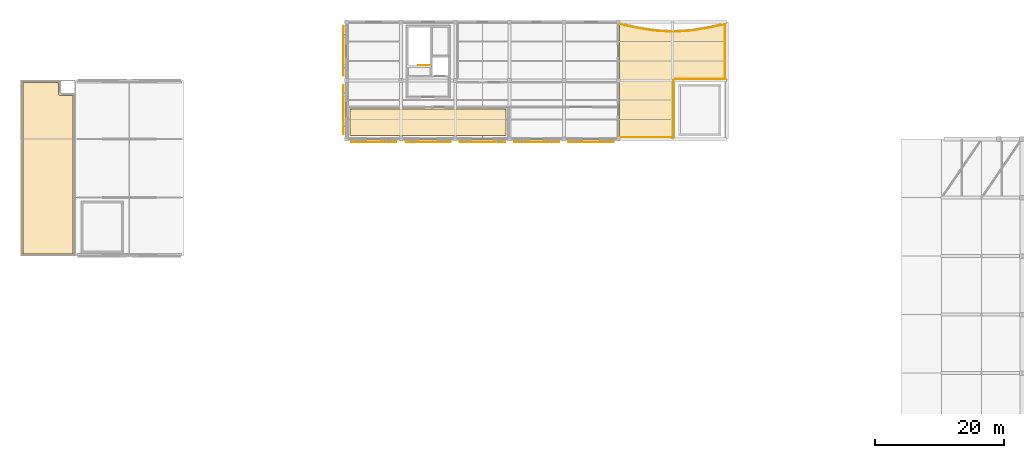
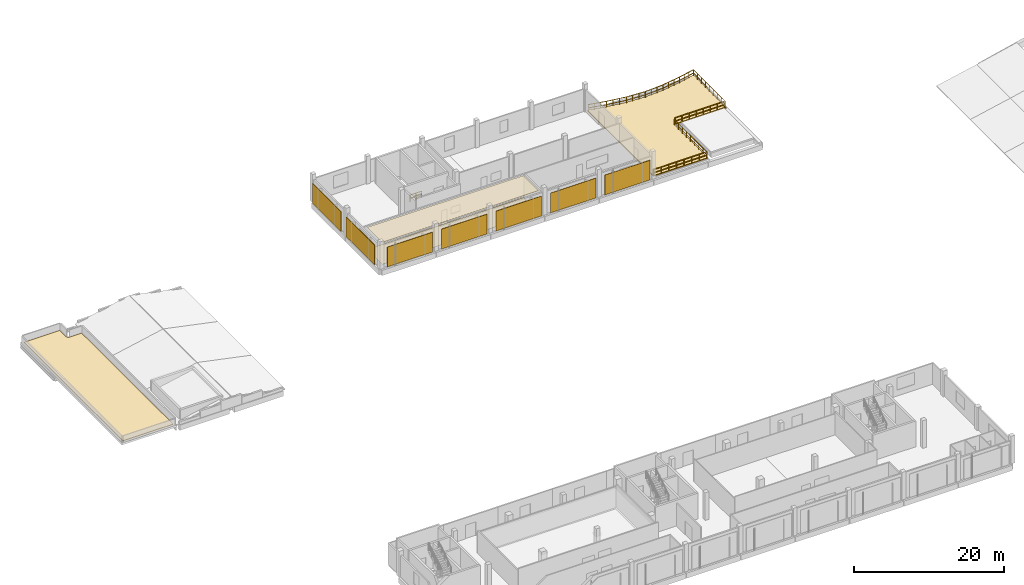
# One storey, part 28 of 28: 11 railings, 7 shading devices, 4 coverings.
"""IFC4 building model written with IfcOpenShell, lengths in metres."""

from ifc_helpers import new_model, si_unit, direction, frame, origin, origin_2d, place, context, subcontext, project, spatial, polyline, rectangle, circle, outline, extrude, material, layer, layer_set, type_object, element, save


model = new_model("IFC4")

# Units and contexts
model_context = context("Model", 3, precision=1e-05, world=origin(), true_north=direction((0.0, 1.0)))
body_context = subcontext(model_context, "Body", "Model", "MODEL_VIEW")
ifc_project = project(units=[si_unit("LENGTHUNIT", "METRE"), si_unit("AREAUNIT", "SQUARE_METRE"), si_unit("VOLUMEUNIT", "CUBIC_METRE"), si_unit("PLANEANGLEUNIT", "RADIAN"), si_unit("MASSUNIT", "GRAM", prefix="KILO")], contexts=[model_context])

# Site, building, storey
site_placement = place(None, origin())
site = spatial("IfcSite", under=ifc_project, at=site_placement, CompositionType="ELEMENT")
building_placement = place(site_placement, origin())
building = spatial("IfcBuilding", under=site, at=building_placement, Name="Khurvash Pelagic Aquarium", CompositionType="ELEMENT")
storey_placement = place(building_placement, frame((0.0, 0.0, 20.10009765625)))
storey = spatial("IfcBuildingStorey", under=building, at=storey_placement, Name="L04", CompositionType="ELEMENT", Elevation=20.10009765625)

# Railings
ifc_material_1 = material(Name="Laminated glass and stainless steel 316", Category="steel")
railing_type_1 = type_object("IfcRailingType", Name="BL-01", PredefinedType="BALUSTRADE", material=ifc_material_1)
railing_1_placement = place(storey_placement, frame((101.080078125, 101.801025390625, 0.0)))
element("IfcRailing", 1, at=railing_1_placement, inside=storey, type_object=railing_type_1, Name="L04 Planted Terrace Perimeter Balustrade BL-01 0068", PredefinedType="BALUSTRADE", context=body_context, shape_type="SweptSolid", body=[
    extrude(circle(Radius=0.02392578125, at=origin_2d()), frame((0.0, 0.0, 1.076171875), z_axis=(0.975965395468, -0.217925553456, 0.0), x_axis=(0.217925553456, 0.975965395468, 0.0)), (0.0, 0.0, 1.0), 2.51953125),
    extrude(circle(Radius=0.02392578125, at=origin_2d()), frame((0.0, 0.0, 0.5380859375), z_axis=(0.975965395468, -0.217925553456, 0.0), x_axis=(0.217925553456, 0.975965395468, 0.0)), (0.0, 0.0, 1.0), 2.51953125),
    extrude(circle(Radius=0.02099609375, at=origin_2d()), origin(), (0.0, 0.0, 1.0), 1.052001953125),
    extrude(circle(Radius=0.02099609375, at=origin_2d()), frame((0.819580078125, -0.18310546875, 0.0)), (0.0, 0.0, 1.0), 1.052001953125),
    extrude(circle(Radius=0.02099609375, at=origin_2d()), frame((1.639404296875, -0.365966796875, 0.0)), (0.0, 0.0, 1.0), 1.052001953125),
    extrude(circle(Radius=0.02099609375, at=origin_2d()), frame((2.458984375, -0.549072265625, 0.0)), (0.0, 0.0, 1.0), 1.052001953125),
])
railing_2_placement = place(storey_placement, frame((103.554931640625, 101.2490234375, 0.0)))
element("IfcRailing", 2, at=railing_2_placement, inside=storey, type_object=railing_type_1, Name="L04 Planted Terrace Perimeter Balustrade BL-01 0069", PredefinedType="BALUSTRADE", context=body_context, shape_type="SweptSolid", body=[
    extrude(circle(Radius=0.02392578125, at=origin_2d()), frame((0.0, 0.0, 1.076171875), z_axis=(0.986884803625, -0.161426095702, 0.0), x_axis=(0.161426095702, 0.986884803625, 0.0)), (0.0, 0.0, 1.0), 2.837158203125),
    extrude(circle(Radius=0.02392578125, at=origin_2d()), frame((0.0, 0.0, 0.5380859375), z_axis=(0.986884803625, -0.161426095702, 0.0), x_axis=(0.161426095702, 0.986884803625, 0.0)), (0.0, 0.0, 1.0), 2.837158203125),
    extrude(circle(Radius=0.02099609375, at=origin_2d()), origin(), (0.0, 0.0, 1.0), 1.052001953125),
    extrude(circle(Radius=0.02099609375, at=origin_2d()), frame((0.933349609375, -0.152587890625, 0.0)), (0.0, 0.0, 1.0), 1.052001953125),
    extrude(circle(Radius=0.02099609375, at=origin_2d()), frame((1.86669921875, -0.305419921875, 0.0)), (0.0, 0.0, 1.0), 1.052001953125),
    extrude(circle(Radius=0.02099609375, at=origin_2d()), frame((2.800048828125, -0.4580078125, 0.0)), (0.0, 0.0, 1.0), 1.052001953125),
])
railing_3_placement = place(storey_placement, frame((106.383056640625, 100.787109375, 0.0)))
element("IfcRailing", 3, at=railing_3_placement, inside=storey, type_object=railing_type_1, Name="L04 Planted Terrace Perimeter Balustrade BL-01 0070", PredefinedType="BALUSTRADE", context=body_context, shape_type="SweptSolid", body=[
    extrude(circle(Radius=0.02392578125, at=origin_2d()), frame((0.0, 0.0, 1.076171875), z_axis=(0.998226323311, -0.05953324659, 0.0), x_axis=(0.05953324659, 0.998226323311, 0.0)), (0.0, 0.0, 1.0), 2.804931640625),
    extrude(circle(Radius=0.02392578125, at=origin_2d()), frame((0.0, 0.0, 0.5380859375), z_axis=(0.998226323311, -0.05953324659, 0.0), x_axis=(0.05953324659, 0.998226323311, 0.0)), (0.0, 0.0, 1.0), 2.804931640625),
    extrude(circle(Radius=0.02099609375, at=origin_2d()), origin(), (0.0, 0.0, 1.0), 1.052001953125),
    extrude(circle(Radius=0.02099609375, at=origin_2d()), frame((0.933349609375, -0.0556640625, 0.0)), (0.0, 0.0, 1.0), 1.052001953125),
    extrude(circle(Radius=0.02099609375, at=origin_2d()), frame((1.86669921875, -0.111328125, 0.0)), (0.0, 0.0, 1.0), 1.052001953125),
    extrude(circle(Radius=0.02099609375, at=origin_2d()), frame((2.800048828125, -0.1669921875, 0.0)), (0.0, 0.0, 1.0), 1.052001953125),
])
railing_4_placement = place(storey_placement, frame((109.217041015625, 100.6201171875, 0.0)))
element("IfcRailing", 4, at=railing_4_placement, inside=storey, type_object=railing_type_1, Name="L04 Planted Terrace Perimeter Balustrade BL-01 0071", PredefinedType="BALUSTRADE", context=body_context, shape_type="SweptSolid", body=[
    extrude(circle(Radius=0.02392578125, at=origin_2d()), frame((0.0, 0.0, 1.076171875), z_axis=(0.998226323311, 0.05953324659, 0.0), x_axis=(-0.05953324659, 0.998226323311, 0.0)), (0.0, 0.0, 1.0), 2.804931640625),
    extrude(circle(Radius=0.02392578125, at=origin_2d()), frame((0.0, 0.0, 0.5380859375), z_axis=(0.998226323311, 0.05953324659, 0.0), x_axis=(-0.05953324659, 0.998226323311, 0.0)), (0.0, 0.0, 1.0), 2.804931640625),
    extrude(circle(Radius=0.02099609375, at=origin_2d()), origin(), (0.0, 0.0, 1.0), 1.052001953125),
    extrude(circle(Radius=0.02099609375, at=origin_2d()), frame((0.933349609375, 0.0556640625, 0.0)), (0.0, 0.0, 1.0), 1.052001953125),
    extrude(circle(Radius=0.02099609375, at=origin_2d()), frame((1.86669921875, 0.111328125, 0.0)), (0.0, 0.0, 1.0), 1.052001953125),
    extrude(circle(Radius=0.02099609375, at=origin_2d()), frame((2.800048828125, 0.1669921875, 0.0)), (0.0, 0.0, 1.0), 1.052001953125),
])
railing_5_placement = place(storey_placement, frame((112.044921875, 100.791015625, 0.0)))
element("IfcRailing", 5, at=railing_5_placement, inside=storey, type_object=railing_type_1, Name="L04 Planted Terrace Perimeter Balustrade BL-01 0072", PredefinedType="BALUSTRADE", context=body_context, shape_type="SweptSolid", body=[
    extrude(circle(Radius=0.02392578125, at=origin_2d()), frame((0.0, 0.0, 1.076171875), z_axis=(0.986884803625, 0.161426095702, 0.0), x_axis=(-0.161426095702, 0.986884803625, 0.0)), (0.0, 0.0, 1.0), 2.837158203125),
    extrude(circle(Radius=0.02392578125, at=origin_2d()), frame((0.0, 0.0, 0.5380859375), z_axis=(0.986884803625, 0.161426095702, 0.0), x_axis=(-0.161426095702, 0.986884803625, 0.0)), (0.0, 0.0, 1.0), 2.837158203125),
    extrude(circle(Radius=0.02099609375, at=origin_2d()), origin(), (0.0, 0.0, 1.0), 1.052001953125),
    extrude(circle(Radius=0.02099609375, at=origin_2d()), frame((0.933349609375, 0.152587890625, 0.0)), (0.0, 0.0, 1.0), 1.052001953125),
    extrude(circle(Radius=0.02099609375, at=origin_2d()), frame((1.86669921875, 0.305419921875, 0.0)), (0.0, 0.0, 1.0), 1.052001953125),
    extrude(circle(Radius=0.02099609375, at=origin_2d()), frame((2.800048828125, 0.4580078125, 0.0)), (0.0, 0.0, 1.0), 1.052001953125),
])
railing_6_placement = place(storey_placement, frame((114.861083984375, 101.251953125, 0.0)))
element("IfcRailing", 6, at=railing_6_placement, inside=storey, type_object=railing_type_1, Name="L04 Planted Terrace Perimeter Balustrade BL-01 0073", PredefinedType="BALUSTRADE", context=body_context, shape_type="SweptSolid", body=[
    extrude(circle(Radius=0.02392578125, at=origin_2d()), frame((0.0, 0.0, 1.076171875), z_axis=(0.975965395468, 0.217925553456, 0.0), x_axis=(-0.217925553456, 0.975965395468, 0.0)), (0.0, 0.0, 1.0), 2.51953125),
    extrude(circle(Radius=0.02392578125, at=origin_2d()), frame((0.0, 0.0, 0.5380859375), z_axis=(0.975965395468, 0.217925553456, 0.0), x_axis=(-0.217925553456, 0.975965395468, 0.0)), (0.0, 0.0, 1.0), 2.51953125),
    extrude(circle(Radius=0.02099609375, at=origin_2d()), origin(), (0.0, 0.0, 1.0), 1.052001953125),
    extrude(circle(Radius=0.02099609375, at=origin_2d()), frame((0.819580078125, 0.18310546875, 0.0)), (0.0, 0.0, 1.0), 1.052001953125),
    extrude(circle(Radius=0.02099609375, at=origin_2d()), frame((1.639404296875, 0.365966796875, 0.0)), (0.0, 0.0, 1.0), 1.052001953125),
    extrude(circle(Radius=0.02099609375, at=origin_2d()), frame((2.458984375, 0.549072265625, 0.0)), (0.0, 0.0, 1.0), 1.052001953125),
])
railing_7_placement = place(storey_placement, frame((117.320068359375, 101.801025390625, 0.0)))
element("IfcRailing", 7, at=railing_7_placement, inside=storey, type_object=railing_type_1, Name="L04 Planted Terrace Perimeter Balustrade BL-01 0074", PredefinedType="BALUSTRADE", context=body_context, shape_type="SweptSolid", body=[
    extrude(circle(Radius=0.02392578125, at=origin_2d()), frame((0.0, 0.0, 1.076171875), z_axis=(0.0, -1.0, 0.0), x_axis=(1.0, 0.0, 0.0)), (0.0, 0.0, 1.0), 8.498046875),
    extrude(circle(Radius=0.02392578125, at=origin_2d()), frame((0.0, 0.0, 0.5380859375), z_axis=(0.0, -1.0, 0.0), x_axis=(1.0, 0.0, 0.0)), (0.0, 0.0, 1.0), 8.498046875),
    extrude(circle(Radius=0.02099609375, at=origin_2d()), origin(), (0.0, 0.0, 1.0), 1.052001953125),
    extrude(circle(Radius=0.02099609375, at=origin_2d()), frame((0.0, -1.062255859375, 0.0)), (0.0, 0.0, 1.0), 1.052001953125),
    extrude(circle(Radius=0.02099609375, at=origin_2d()), frame((0.0, -2.12451171875, 0.0)), (0.0, 0.0, 1.0), 1.052001953125),
    extrude(circle(Radius=0.02099609375, at=origin_2d()), frame((0.0, -3.186767578125, 0.0)), (0.0, 0.0, 1.0), 1.052001953125),
    extrude(circle(Radius=0.02099609375, at=origin_2d()), frame((0.0, -4.2490234375, 0.0)), (0.0, 0.0, 1.0), 1.052001953125),
    extrude(circle(Radius=0.02099609375, at=origin_2d()), frame((0.0, -5.311279296875, 0.0)), (0.0, 0.0, 1.0), 1.052001953125),
    extrude(circle(Radius=0.02099609375, at=origin_2d()), frame((0.0, -6.37353515625, 0.0)), (0.0, 0.0, 1.0), 1.052001953125),
    extrude(circle(Radius=0.02099609375, at=origin_2d()), frame((0.0, -7.435791015625, 0.0)), (0.0, 0.0, 1.0), 1.052001953125),
    extrude(circle(Radius=0.02099609375, at=origin_2d()), frame((0.0, -8.498046875, 0.0)), (0.0, 0.0, 1.0), 1.052001953125),
])
railing_8_placement = place(storey_placement, frame((117.199951171875, 93.330078125, 0.0)))
element("IfcRailing", 8, at=railing_8_placement, inside=storey, type_object=railing_type_1, Name="L04 Planted Terrace Perimeter Balustrade BL-01 0075", PredefinedType="BALUSTRADE", context=body_context, shape_type="SweptSolid", body=[
    extrude(circle(Radius=0.02392578125, at=origin_2d()), frame((0.0, 0.0, 1.076171875), z_axis=(-1.0, 0.0, 0.0), x_axis=(0.0, -1.0, 0.0)), (0.0, 0.0, 1.0), 7.599853515625),
    extrude(circle(Radius=0.02392578125, at=origin_2d()), frame((0.0, 0.0, 0.5380859375), z_axis=(-1.0, 0.0, 0.0), x_axis=(0.0, -1.0, 0.0)), (0.0, 0.0, 1.0), 7.599853515625),
    extrude(circle(Radius=0.02099609375, at=origin_2d()), origin(), (0.0, 0.0, 1.0), 1.052001953125),
    extrude(circle(Radius=0.02099609375, at=origin_2d()), frame((-1.085693359375, 0.0, 0.0)), (0.0, 0.0, 1.0), 1.052001953125),
    extrude(circle(Radius=0.02099609375, at=origin_2d()), frame((-2.17138671875, 0.0, 0.0)), (0.0, 0.0, 1.0), 1.052001953125),
    extrude(circle(Radius=0.02099609375, at=origin_2d()), frame((-3.257080078125, 0.0, 0.0)), (0.0, 0.0, 1.0), 1.052001953125),
    extrude(circle(Radius=0.02099609375, at=origin_2d()), frame((-4.3427734375, 0.0, 0.0)), (0.0, 0.0, 1.0), 1.052001953125),
    extrude(circle(Radius=0.02099609375, at=origin_2d()), frame((-5.428466796875, 0.0, 0.0)), (0.0, 0.0, 1.0), 1.052001953125),
    extrude(circle(Radius=0.02099609375, at=origin_2d()), frame((-6.51416015625, 0.0, 0.0)), (0.0, 0.0, 1.0), 1.052001953125),
    extrude(circle(Radius=0.02099609375, at=origin_2d()), frame((-7.599853515625, 0.0, 0.0)), (0.0, 0.0, 1.0), 1.052001953125),
])
railing_9_placement = place(storey_placement, frame((109.320068359375, 93.050048828125, 0.0)))
element("IfcRailing", 9, at=railing_9_placement, inside=storey, type_object=railing_type_1, Name="L04 Planted Terrace Perimeter Balustrade BL-01 0076", PredefinedType="BALUSTRADE", context=body_context, shape_type="SweptSolid", body=[
    extrude(circle(Radius=0.02392578125, at=origin_2d()), frame((0.0, 0.0, 1.076171875), z_axis=(0.0, -1.0, 0.0), x_axis=(1.0, 0.0, 0.0)), (0.0, 0.0, 1.0), 8.719970703125),
    extrude(circle(Radius=0.02392578125, at=origin_2d()), frame((0.0, 0.0, 0.5380859375), z_axis=(0.0, -1.0, 0.0), x_axis=(1.0, 0.0, 0.0)), (0.0, 0.0, 1.0), 8.719970703125),
    extrude(circle(Radius=0.02099609375, at=origin_2d()), origin(), (0.0, 0.0, 1.0), 1.052001953125),
    extrude(circle(Radius=0.02099609375, at=origin_2d()), frame((0.0, -1.090087890625, 0.0)), (0.0, 0.0, 1.0), 1.052001953125),
    extrude(circle(Radius=0.02099609375, at=origin_2d()), frame((0.0, -2.179931640625, 0.0)), (0.0, 0.0, 1.0), 1.052001953125),
    extrude(circle(Radius=0.02099609375, at=origin_2d()), frame((0.0, -3.27001953125, 0.0)), (0.0, 0.0, 1.0), 1.052001953125),
    extrude(circle(Radius=0.02099609375, at=origin_2d()), frame((0.0, -4.35986328125, 0.0)), (0.0, 0.0, 1.0), 1.052001953125),
    extrude(circle(Radius=0.02099609375, at=origin_2d()), frame((0.0, -5.449951171875, 0.0)), (0.0, 0.0, 1.0), 1.052001953125),
    extrude(circle(Radius=0.02099609375, at=origin_2d()), frame((0.0, -6.5400390625, 0.0)), (0.0, 0.0, 1.0), 1.052001953125),
    extrude(circle(Radius=0.02099609375, at=origin_2d()), frame((0.0, -7.6298828125, 0.0)), (0.0, 0.0, 1.0), 1.052001953125),
    extrude(circle(Radius=0.02099609375, at=origin_2d()), frame((0.0, -8.719970703125, 0.0)), (0.0, 0.0, 1.0), 1.052001953125),
])
railing_10_placement = place(storey_placement, frame((109.320068359375, 84.330078125, 0.0)))
element("IfcRailing", 10, at=railing_10_placement, inside=storey, type_object=railing_type_1, Name="L04 Planted Terrace Perimeter Balustrade BL-01 0077", PredefinedType="BALUSTRADE", context=body_context, shape_type="SweptSolid", body=[
    extrude(circle(Radius=0.02392578125, at=origin_2d()), frame((0.0, 0.0, 1.076171875), z_axis=(-1.0, 0.0, 0.0), x_axis=(0.0, -1.0, 0.0)), (0.0, 0.0, 1.0), 8.239990234375),
    extrude(circle(Radius=0.02392578125, at=origin_2d()), frame((0.0, 0.0, 0.5380859375), z_axis=(-1.0, 0.0, 0.0), x_axis=(0.0, -1.0, 0.0)), (0.0, 0.0, 1.0), 8.239990234375),
    extrude(circle(Radius=0.02099609375, at=origin_2d()), origin(), (0.0, 0.0, 1.0), 1.052001953125),
    extrude(circle(Radius=0.02099609375, at=origin_2d()), frame((-1.17724609375, 0.0, 0.0)), (0.0, 0.0, 1.0), 1.052001953125),
    extrude(circle(Radius=0.02099609375, at=origin_2d()), frame((-2.354248046875, 0.0, 0.0)), (0.0, 0.0, 1.0), 1.052001953125),
    extrude(circle(Radius=0.02099609375, at=origin_2d()), frame((-3.531494140625, 0.0, 0.0)), (0.0, 0.0, 1.0), 1.052001953125),
    extrude(circle(Radius=0.02099609375, at=origin_2d()), frame((-4.70849609375, 0.0, 0.0)), (0.0, 0.0, 1.0), 1.052001953125),
    extrude(circle(Radius=0.02099609375, at=origin_2d()), frame((-5.8857421875, 0.0, 0.0)), (0.0, 0.0, 1.0), 1.052001953125),
    extrude(circle(Radius=0.02099609375, at=origin_2d()), frame((-7.062744140625, 0.0, 0.0)), (0.0, 0.0, 1.0), 1.052001953125),
    extrude(circle(Radius=0.02099609375, at=origin_2d()), frame((-8.239990234375, 0.0, 0.0)), (0.0, 0.0, 1.0), 1.052001953125),
])

# Coverings
ifc_material_2 = material(Name="Moisture-resistant acoustic mineral-fibre ceiling", Category="finish")
ifc_layer_1 = layer(ifc_material_2, 0.02490234375)
ifc_layer_set_1 = layer_set([ifc_layer_1], Name="Moisture-resistant acoustic mineral-fibre ceiling")
covering_type_1 = type_object("IfcCoveringType", Name="CV-CLG", PredefinedType="CEILING", material=ifc_layer_set_1)
covering_1_placement = place(storey_placement, frame((0.0, 0.0, 3.60595703125)))
element("IfcCovering", 11, at=covering_1_placement, inside=storey, type_object=covering_type_1, Name="L04 Environmental DNA Sequencing Laboratory Suspended Acoustic Ceiling", PredefinedType="CEILING", context=body_context, shape_type="SweptSolid", body=[
    extrude(outline(polyline([(83.449951171875, 84.60009765625), (83.449951171875, 88.64990234375), (59.35009765625, 88.64990234375), (59.35009765625, 84.60009765625), (83.449951171875, 84.60009765625)])), origin(), (0.0, 0.0, 1.0), 0.02490234375),
])
ifc_material_3 = material(Name="Slip-resistant terrazzo and epoxy resin flooring", Category="finish")
ifc_layer_2 = layer(ifc_material_3, 0.02001953125)
ifc_layer_set_2 = layer_set([ifc_layer_2], Name="Slip-resistant terrazzo and epoxy resin flooring")
covering_type_2 = type_object("IfcCoveringType", Name="CV-FLR", PredefinedType="FLOORING", material=ifc_layer_set_2)
covering_2_placement = place(storey_placement, origin())
element("IfcCovering", 12, at=covering_2_placement, inside=storey, type_object=covering_type_2, Name="L04 Environmental DNA Sequencing Laboratory Terrazzo Floor Finish", PredefinedType="FLOORING", context=body_context, shape_type="SweptSolid", body=[
    extrude(outline(polyline([(83.449951171875, 84.60009765625), (83.449951171875, 88.64990234375), (59.35009765625, 88.64990234375), (59.35009765625, 84.60009765625), (83.449951171875, 84.60009765625)])), origin(), (0.0, 0.0, 1.0), 0.02001953125),
])
ifc_material_4 = material(Name="TPO waterproof membrane and XPS rigid insulation", Category="insulation")
ifc_layer_3 = layer(ifc_material_4, 0.080078125)
ifc_layer_set_3 = layer_set([ifc_layer_3], Name="TPO waterproof membrane and XPS rigid insulation")
covering_type_3 = type_object("IfcCoveringType", Name="CV-RF01", PredefinedType="ROOFING", material=ifc_layer_set_3)
covering_3_placement = place(storey_placement, origin())
element("IfcCovering", 13, at=covering_3_placement, inside=storey, type_object=covering_type_3, Name="L04 Insulated TPO Roof Membrane SLB-ROOF-L04-1-1", PredefinedType="ROOFING", context=body_context, shape_type="SweptSolid", body=[
    extrude(outline(polyline([(16.47998046875, 90.780029296875), (16.47998046875, 66.27001953125), (8.719970703125, 66.27001953125), (8.719970703125, 92.780029296875), (14.280029296875, 92.780029296875), (14.280029296875, 91.10009765625), (14.281982421875, 91.069091796875), (14.285888671875, 91.0380859375), (14.2939453125, 91.007080078125), (14.303955078125, 90.97802734375), (14.318115234375, 90.948974609375), (14.333984375, 90.922119140625), (14.35302734375, 90.89697265625), (14.3740234375, 90.8740234375), (14.39697265625, 90.85302734375), (14.422119140625, 90.833984375), (14.448974609375, 90.818115234375), (14.47802734375, 90.803955078125), (14.507080078125, 90.7939453125), (14.5380859375, 90.785888671875), (14.569091796875, 90.781982421875), (14.60009765625, 90.780029296875), (16.47998046875, 90.780029296875)])), origin(), (0.0, 0.0, 1.0), 0.079833984375),
])
ifc_material_5 = material(Name="Vegetated monsoon-retention substrate and drainage mat", Category="earth")
ifc_layer_4 = layer(ifc_material_5, 0.14990234375)
ifc_layer_set_4 = layer_set([ifc_layer_4], Name="Vegetated monsoon-retention substrate and drainage mat")
covering_type_4 = type_object("IfcCoveringType", Name="CV-RF02", PredefinedType="ROOFING", material=ifc_layer_set_4)
covering_4_placement = place(storey_placement, origin())
element("IfcCovering", 14, at=covering_4_placement, inside=storey, type_object=covering_type_4, Name="L04 Monsoon Retention Terrace Substrate TERR_L04_N", PredefinedType="ROOFING", context=body_context, shape_type="SweptSolid", body=[
    extrude(outline(polyline([(101.0, 84.25), (101.0, 101.89990234375), (103.555908203125, 101.330078125), (103.568115234375, 101.327880859375), (106.367919921875, 100.8701171875), (106.387939453125, 100.866943359375), (109.18798828125, 100.699951171875), (109.2119140625, 100.699951171875), (112.011962890625, 100.866943359375), (112.031982421875, 100.8701171875), (114.83203125, 101.327880859375), (114.843994140625, 101.330078125), (117.39990234375, 101.89990234375), (117.39990234375, 93.050048828125), (117.39892578125, 93.070068359375), (117.39599609375, 93.089111328125), (117.39111328125, 93.10791015625), (117.385009765625, 93.126953125), (117.3759765625, 93.14404296875), (117.365966796875, 93.160888671875), (117.35498046875, 93.177001953125), (117.341064453125, 93.19091796875), (117.326904296875, 93.205078125), (117.31103515625, 93.216064453125), (117.2939453125, 93.22607421875), (117.277099609375, 93.235107421875), (117.258056640625, 93.240966796875), (117.239013671875, 93.24609375), (117.219970703125, 93.2490234375), (117.199951171875, 93.25), (109.60009765625, 93.25), (109.580078125, 93.2490234375), (109.56103515625, 93.24609375), (109.5419921875, 93.240966796875), (109.52294921875, 93.235107421875), (109.506103515625, 93.22607421875), (109.489013671875, 93.216064453125), (109.472900390625, 93.205078125), (109.458984375, 93.19091796875), (109.445068359375, 93.177001953125), (109.43408203125, 93.160888671875), (109.424072265625, 93.14404296875), (109.4150390625, 93.126953125), (109.408935546875, 93.10791015625), (109.404052734375, 93.089111328125), (109.40087890625, 93.070068359375), (109.39990234375, 93.050048828125), (109.39990234375, 84.25), (101.0, 84.25)])), origin(), (0.0, 0.0, 1.0), 0.14990234375),
])

# Railing
ifc_material_6 = material(Name="Powder-coated galvanised steel S355J2", Category="steel")
railing_type_2 = type_object("IfcRailingType", Name="GR-01", PredefinedType="GUARDRAIL", material=ifc_material_6)
railing_11_placement = place(storey_placement, frame((71.699951171875, 95.449951171875, 0.0)))
element("IfcRailing", 15, at=railing_11_placement, inside=storey, type_object=railing_type_2, Name="L04 ST-04 top well guard 1", PredefinedType="GUARDRAIL", context=body_context, shape_type="SweptSolid", body=[
    extrude(circle(Radius=0.02392578125, at=origin_2d()), frame((0.0, 0.0, 1.076171875), z_axis=(-1.0, 0.0, 0.0), x_axis=(0.0, -1.0, 0.0)), (0.0, 0.0, 1.0), 1.800048828125),
    extrude(circle(Radius=0.02392578125, at=origin_2d()), frame((0.0, 0.0, 0.5380859375), z_axis=(-1.0, 0.0, 0.0), x_axis=(0.0, -1.0, 0.0)), (0.0, 0.0, 1.0), 1.800048828125),
    extrude(circle(Radius=0.02099609375, at=origin_2d()), origin(), (0.0, 0.0, 1.0), 1.052001953125),
    extrude(circle(Radius=0.02099609375, at=origin_2d()), frame((-0.89990234375, 0.0, 0.0)), (0.0, 0.0, 1.0), 1.052001953125),
    extrude(circle(Radius=0.02099609375, at=origin_2d()), frame((-1.800048828125, 0.0, 0.0)), (0.0, 0.0, 1.0), 1.052001953125),
])

# Shading devices
ifc_material_7 = material(Name="Extruded anodised aluminium fin", Category="aluminium")
ifc_layer_5 = layer(ifc_material_7, 0.074951171875)
ifc_layer_set_5 = layer_set([ifc_layer_5], Name="Extruded anodised aluminium fin")
shading_device_type_1 = type_object("IfcShadingDeviceType", Name="SH-FIN", PredefinedType="USERDEFINED", material=ifc_layer_set_5)
for number, where, z_axis, x_axis, name in (
    (16, (58.31005859375, 97.625, 0.200439453125), (0.0, 0.0, 1.0), (0.0, -1.0, 0.0), "L04 Perforated Aluminium Jali Screen SH-FIN 0071"),
    (17, (58.31005859375, 88.574951171875, 0.200439453125), (0.0, 0.0, 1.0), (0.0, -1.0, 0.0), "L04 Perforated Aluminium Jali Screen SH-FIN 0072"),
):
    element("IfcShadingDevice", number, at=place(storey_placement, frame(where, z_axis=z_axis, x_axis=x_axis)), inside=storey, type_object=shading_device_type_1, Name=name, ObjectType="SOLAR FIN", PredefinedType="USERDEFINED", context=body_context, shape_type="SweptSolid", body=[
        extrude(rectangle(XDim=7.639892578125, YDim=0.074951171875, at=origin_2d()), origin(), (0.0, 0.0, 1.0), 3.23095703125),
    ])
ifc_material_8 = material(Name="Perforated anodised aluminium AW-5005", Category="aluminium")
ifc_layer_6 = layer(ifc_material_8, 0.06005859375)
ifc_layer_set_6 = layer_set([ifc_layer_6], Name="Perforated anodised aluminium AW-5005")
shading_device_type_2 = type_object("IfcShadingDeviceType", Name="SH-JAL", PredefinedType="JALOUSIE", material=ifc_layer_set_6)
for number, where, z_axis, x_axis, name in (
    (18, (63.0, 83.56005859375, 0.200439453125), (0.0, 0.0, 1.0), (1.0, 0.0, 0.0), "L04 Perforated Aluminium Jali Screen SH-JAL 0066"),
    (19, (71.39990234375, 83.56005859375, 0.200439453125), (0.0, 0.0, 1.0), (1.0, 0.0, 0.0), "L04 Perforated Aluminium Jali Screen SH-JAL 0067"),
    (20, (79.800048828125, 83.56005859375, 0.200439453125), (0.0, 0.0, 1.0), (1.0, 0.0, 0.0), "L04 Perforated Aluminium Jali Screen SH-JAL 0068"),
    (21, (88.199951171875, 83.56005859375, 0.200439453125), (0.0, 0.0, 1.0), (1.0, 0.0, 0.0), "L04 Perforated Aluminium Jali Screen SH-JAL 0069"),
    (22, (96.60009765625, 83.56005859375, 0.200439453125), (0.0, 0.0, 1.0), (1.0, 0.0, 0.0), "L04 Perforated Aluminium Jali Screen SH-JAL 0070"),
):
    element("IfcShadingDevice", number, at=place(storey_placement, frame(where, z_axis=z_axis, x_axis=x_axis)), inside=storey, type_object=shading_device_type_2, Name=name, PredefinedType="JALOUSIE", context=body_context, shape_type="SweptSolid", body=[
        extrude(rectangle(XDim=6.989990234375, YDim=0.06005859375, at=origin_2d()), origin(), (0.0, 0.0, 1.0), 3.23095703125),
    ])

save(model, "model.ifc")
